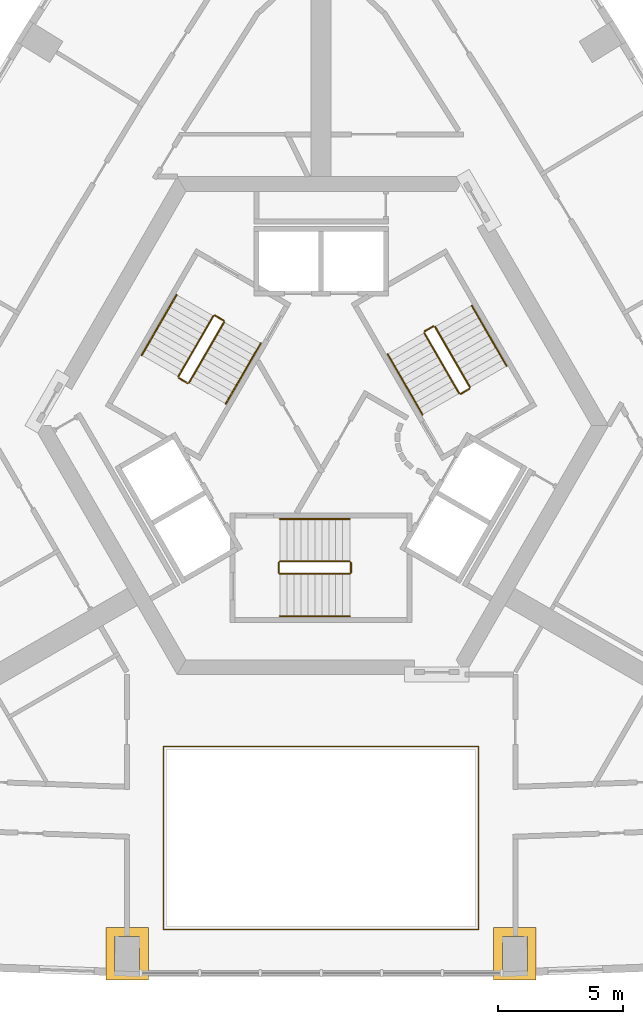
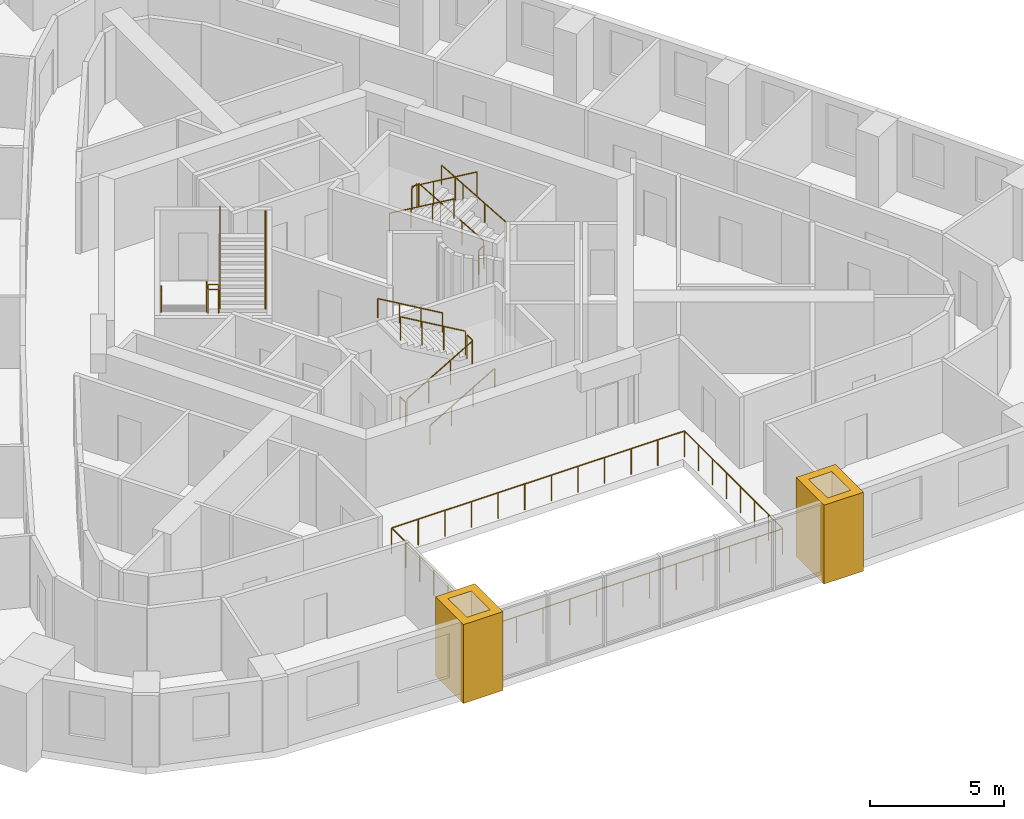
# One storey, part 10 of 10: 19 railings, 2 coverings.
"""IFC4 building model written with IfcOpenShell, lengths in metres."""

from ifc_helpers import new_model, si_unit, direction, frame, origin, origin_2d, place, context, subcontext, project, spatial, polyline, circle, outline, extrude, material, type_object, element, save


model = new_model("IFC4")

# Units and contexts
model_context = context("Model", 3, precision=1e-05, world=origin(), true_north=direction((0.0, 1.0)))
body_context = subcontext(model_context, "Body", "Model", "MODEL_VIEW")
ifc_project = project(units=[si_unit("LENGTHUNIT", "METRE"), si_unit("AREAUNIT", "SQUARE_METRE"), si_unit("VOLUMEUNIT", "CUBIC_METRE"), si_unit("PLANEANGLEUNIT", "RADIAN"), si_unit("MASSUNIT", "GRAM", prefix="KILO")], contexts=[model_context])

# Site, building, storey
site_placement = place(None, origin())
site = spatial("IfcSite", under=ifc_project, at=site_placement, CompositionType="ELEMENT")
building_placement = place(site_placement, origin())
building = spatial("IfcBuilding", under=site, at=building_placement, Name="Entoto Arch Interchange Tower", CompositionType="ELEMENT")
storey_placement = place(building_placement, frame((0.0, 0.0, 245.0)))
storey = spatial("IfcBuildingStorey", under=building, at=storey_placement, Name="L55", CompositionType="ELEMENT", Elevation=245.0)

# Railing
ifc_material_1 = material(Name="Stainless steel 1.4301", Category="steel")
railing_type_1 = type_object("IfcRailingType", Name="ATRIUM GUARD 1200 STEEL AND GLASS", PredefinedType="GUARDRAIL", material=ifc_material_1)
railing_1_placement = place(storey_placement, frame((6.320068359375, -17.72802734375, 0.0)))
element("IfcRailing", 1, at=railing_1_placement, inside=storey, type_object=railing_type_1, Name="Atrium guard L55", PredefinedType="GUARDRAIL", context=body_context, shape_type="SweptSolid", body=[
    extrude(circle(Radius=0.02392578125, at=origin_2d()), frame((0.0, 0.0, 1.17578125), z_axis=(-1.0, 0.0, 0.0), x_axis=(0.0, -1.0, 0.0)), (0.0, 0.0, 1.0), 12.64013671875),
    extrude(circle(Radius=0.02392578125, at=origin_2d()), frame((-12.64013671875, 0.0, 1.17578125), z_axis=(0.0, 1.0, 0.0), x_axis=(-1.0, 0.0, 0.0)), (0.0, 0.0, 1.0), 7.34814453125),
    extrude(circle(Radius=0.02392578125, at=origin_2d()), frame((-12.64013671875, 7.34814453125, 1.17578125), z_axis=(1.0, 0.0, 0.0), x_axis=(0.0, 1.0, 0.0)), (0.0, 0.0, 1.0), 12.64013671875),
    extrude(circle(Radius=0.02392578125, at=origin_2d()), frame((0.0, 7.34814453125, 1.17578125), z_axis=(0.0, -1.0, 0.0), x_axis=(1.0, 0.0, 0.0)), (0.0, 0.0, 1.0), 7.34814453125),
    extrude(circle(Radius=0.02099609375, at=origin_2d()), origin(), (0.0, 0.0, 1.0), 1.15185546875),
    extrude(circle(Radius=0.02099609375, at=origin_2d()), frame((-1.149169921875, 0.0, 0.0)), (0.0, 0.0, 1.0), 1.15185546875),
    extrude(circle(Radius=0.02099609375, at=origin_2d()), frame((-2.298095703125, 0.0, 0.0)), (0.0, 0.0, 1.0), 1.15185546875),
    extrude(circle(Radius=0.02099609375, at=origin_2d()), frame((-3.447265625, 0.0, 0.0)), (0.0, 0.0, 1.0), 1.15185546875),
    extrude(circle(Radius=0.02099609375, at=origin_2d()), frame((-4.596435546875, 0.0, 0.0)), (0.0, 0.0, 1.0), 1.15185546875),
    extrude(circle(Radius=0.02099609375, at=origin_2d()), frame((-5.74560546875, 0.0, 0.0)), (0.0, 0.0, 1.0), 1.15185546875),
    extrude(circle(Radius=0.02099609375, at=origin_2d()), frame((-6.89453125, 0.0, 0.0)), (0.0, 0.0, 1.0), 1.15185546875),
    extrude(circle(Radius=0.02099609375, at=origin_2d()), frame((-8.043701171875, 0.0, 0.0)), (0.0, 0.0, 1.0), 1.15185546875),
    extrude(circle(Radius=0.02099609375, at=origin_2d()), frame((-9.19287109375, 0.0, 0.0)), (0.0, 0.0, 1.0), 1.15185546875),
    extrude(circle(Radius=0.02099609375, at=origin_2d()), frame((-10.342041015625, 0.0, 0.0)), (0.0, 0.0, 1.0), 1.15185546875),
    extrude(circle(Radius=0.02099609375, at=origin_2d()), frame((-11.490966796875, 0.0, 0.0)), (0.0, 0.0, 1.0), 1.15185546875),
    extrude(circle(Radius=0.02099609375, at=origin_2d()), frame((-12.64013671875, 0.0, 0.0)), (0.0, 0.0, 1.0), 1.15185546875),
    extrude(circle(Radius=0.02099609375, at=origin_2d()), frame((-12.64013671875, 1.0498046875, 0.0)), (0.0, 0.0, 1.0), 1.15185546875),
    extrude(circle(Radius=0.02099609375, at=origin_2d()), frame((-12.64013671875, 2.099365234375, 0.0)), (0.0, 0.0, 1.0), 1.15185546875),
    extrude(circle(Radius=0.02099609375, at=origin_2d()), frame((-12.64013671875, 3.149169921875, 0.0)), (0.0, 0.0, 1.0), 1.15185546875),
    extrude(circle(Radius=0.02099609375, at=origin_2d()), frame((-12.64013671875, 4.198974609375, 0.0)), (0.0, 0.0, 1.0), 1.15185546875),
    extrude(circle(Radius=0.02099609375, at=origin_2d()), frame((-12.64013671875, 5.248779296875, 0.0)), (0.0, 0.0, 1.0), 1.15185546875),
    extrude(circle(Radius=0.02099609375, at=origin_2d()), frame((-12.64013671875, 6.29833984375, 0.0)), (0.0, 0.0, 1.0), 1.15185546875),
    extrude(circle(Radius=0.02099609375, at=origin_2d()), frame((-12.64013671875, 7.34814453125, 0.0)), (0.0, 0.0, 1.0), 1.15185546875),
    extrude(circle(Radius=0.02099609375, at=origin_2d()), frame((-11.490966796875, 7.34814453125, 0.0)), (0.0, 0.0, 1.0), 1.15185546875),
    extrude(circle(Radius=0.02099609375, at=origin_2d()), frame((-10.342041015625, 7.34814453125, 0.0)), (0.0, 0.0, 1.0), 1.15185546875),
    extrude(circle(Radius=0.02099609375, at=origin_2d()), frame((-9.19287109375, 7.34814453125, 0.0)), (0.0, 0.0, 1.0), 1.15185546875),
    extrude(circle(Radius=0.02099609375, at=origin_2d()), frame((-8.043701171875, 7.34814453125, 0.0)), (0.0, 0.0, 1.0), 1.15185546875),
    extrude(circle(Radius=0.02099609375, at=origin_2d()), frame((-6.89453125, 7.34814453125, 0.0)), (0.0, 0.0, 1.0), 1.15185546875),
    extrude(circle(Radius=0.02099609375, at=origin_2d()), frame((-5.74560546875, 7.34814453125, 0.0)), (0.0, 0.0, 1.0), 1.15185546875),
    extrude(circle(Radius=0.02099609375, at=origin_2d()), frame((-4.596435546875, 7.34814453125, 0.0)), (0.0, 0.0, 1.0), 1.15185546875),
    extrude(circle(Radius=0.02099609375, at=origin_2d()), frame((-3.447265625, 7.34814453125, 0.0)), (0.0, 0.0, 1.0), 1.15185546875),
    extrude(circle(Radius=0.02099609375, at=origin_2d()), frame((-2.298095703125, 7.34814453125, 0.0)), (0.0, 0.0, 1.0), 1.15185546875),
    extrude(circle(Radius=0.02099609375, at=origin_2d()), frame((-1.149169921875, 7.34814453125, 0.0)), (0.0, 0.0, 1.0), 1.15185546875),
    extrude(circle(Radius=0.02099609375, at=origin_2d()), frame((0.0, 7.34814453125, 0.0)), (0.0, 0.0, 1.0), 1.15185546875),
    extrude(circle(Radius=0.02099609375, at=origin_2d()), frame((0.0, 6.29833984375, 0.0)), (0.0, 0.0, 1.0), 1.15185546875),
    extrude(circle(Radius=0.02099609375, at=origin_2d()), frame((0.0, 5.248779296875, 0.0)), (0.0, 0.0, 1.0), 1.15185546875),
    extrude(circle(Radius=0.02099609375, at=origin_2d()), frame((0.0, 4.198974609375, 0.0)), (0.0, 0.0, 1.0), 1.15185546875),
    extrude(circle(Radius=0.02099609375, at=origin_2d()), frame((0.0, 3.149169921875, 0.0)), (0.0, 0.0, 1.0), 1.15185546875),
    extrude(circle(Radius=0.02099609375, at=origin_2d()), frame((0.0, 2.099365234375, 0.0)), (0.0, 0.0, 1.0), 1.15185546875),
    extrude(circle(Radius=0.02099609375, at=origin_2d()), frame((0.0, 1.0498046875, 0.0)), (0.0, 0.0, 1.0), 1.15185546875),
])

# Coverings
ifc_material_2 = material(Name="Board-marked precast concrete C50/60", Category="concrete")
covering_type = type_object("IfcCoveringType", Name="PRECAST FRAME COURSE", PredefinedType="CLADDING", material=ifc_material_2)
covering_1_placement = place(storey_placement, frame((0.0, 0.0, -0.340087890625)))
element("IfcCovering", 2, at=covering_1_placement, inside=storey, type_object=covering_type, Name="Gate pier L55", PredefinedType="CLADDING", context=body_context, shape_type="SweptSolid", body=[
    extrude(outline(polyline([(-8.634033203125, -17.657958984375), (-6.93408203125, -17.657958984375), (-6.93408203125, -19.758056640625), (-8.634033203125, -19.758056640625), (-8.634033203125, -17.657958984375)]), holes=[polyline([(-8.283935546875, -18.008056640625), (-8.283935546875, -19.407958984375), (-7.283935546875, -19.407958984375), (-7.283935546875, -18.008056640625), (-8.283935546875, -18.008056640625)])]), origin(), (0.0, 0.0, 1.0), 3.60009765625),
])
covering_2_placement = place(storey_placement, frame((0.0, 0.0, -0.340087890625)))
element("IfcCovering", 3, at=covering_2_placement, inside=storey, type_object=covering_type, Name="Gate pier L55", PredefinedType="CLADDING", context=body_context, shape_type="SweptSolid", body=[
    extrude(outline(polyline([(6.93408203125, -17.657958984375), (8.634033203125, -17.657958984375), (8.634033203125, -19.758056640625), (6.93408203125, -19.758056640625), (6.93408203125, -17.657958984375)]), holes=[polyline([(7.283935546875, -18.008056640625), (7.283935546875, -19.407958984375), (8.283935546875, -19.407958984375), (8.283935546875, -18.008056640625), (7.283935546875, -18.008056640625)])]), origin(), (0.0, 0.0, 1.0), 3.60009765625),
])

# Railings
railing_type_2 = type_object("IfcRailingType", Name="STAIR GUARD 1100 STEEL", PredefinedType="GUARDRAIL", material=ifc_material_1)
railing_2_placement = place(storey_placement, frame((-1.64990234375, -3.449951171875, 0.16357421875)))
element("IfcRailing", 4, at=railing_2_placement, inside=storey, type_object=railing_type_2, Name="L55 ST-S stair guard 1", PredefinedType="GUARDRAIL", context=body_context, shape_type="SweptSolid", body=[
    extrude(circle(Radius=0.02392578125, at=origin_2d()), frame((0.0, 0.0, 1.076171875), z_axis=(0.863341702679, 0.0, 0.504619762213), x_axis=(0.0, 1.0, 0.0)), (0.0, 0.0, 1.0), 3.242919921875),
    extrude(circle(Radius=0.02099609375, at=origin_2d()), origin(), (0.0, 0.0, 1.0), 1.052001953125),
    extrude(circle(Radius=0.02099609375, at=origin_2d()), frame((0.933349609375, 0.0, 0.54541015625)), (0.0, 0.0, 1.0), 1.052001953125),
    extrude(circle(Radius=0.02099609375, at=origin_2d()), frame((1.866455078125, 0.0, 1.091064453125)), (0.0, 0.0, 1.0), 1.052001953125),
    extrude(circle(Radius=0.02099609375, at=origin_2d()), frame((2.7998046875, 0.0, 1.636474609375)), (0.0, 0.0, 1.0), 1.052001953125),
])
railing_3_placement = place(storey_placement, frame((1.199951171875, -3.39990234375, 1.800048828125)))
element("IfcRailing", 5, at=railing_3_placement, inside=storey, type_object=railing_type_2, Name="L55 ST-S stair guard 2", PredefinedType="GUARDRAIL", context=body_context, shape_type="SweptSolid", body=[
    extrude(circle(Radius=0.02392578125, at=origin_2d()), frame((0.0, 0.0, 1.076171875), z_axis=(0.0, 1.0, 0.0), x_axis=(-1.0, 0.0, 0.0)), (0.0, 0.0, 1.0), 0.39990234375),
    extrude(circle(Radius=0.02099609375, at=origin_2d()), origin(), (0.0, 0.0, 1.0), 1.052001953125),
    extrude(circle(Radius=0.02099609375, at=origin_2d()), frame((0.0, 0.39990234375, 0.0)), (0.0, 0.0, 1.0), 1.052001953125),
])
railing_4_placement = place(storey_placement, frame((1.14990234375, -2.949951171875, 1.963623046875)))
element("IfcRailing", 6, at=railing_4_placement, inside=storey, type_object=railing_type_2, Name="L55 ST-S stair guard 3", PredefinedType="GUARDRAIL", context=body_context, shape_type="SweptSolid", body=[
    extrude(circle(Radius=0.02392578125, at=origin_2d()), frame((0.0, 0.0, 1.076171875), z_axis=(-0.863341702679, 0.0, 0.504619762213), x_axis=(0.0, -1.0, 0.0)), (0.0, 0.0, 1.0), 3.242919921875),
    extrude(circle(Radius=0.02099609375, at=origin_2d()), origin(), (0.0, 0.0, 1.0), 1.052001953125),
    extrude(circle(Radius=0.02099609375, at=origin_2d()), frame((-0.933349609375, 0.0, 0.54541015625)), (0.0, 0.0, 1.0), 1.052001953125),
    extrude(circle(Radius=0.02099609375, at=origin_2d()), frame((-1.866455078125, 0.0, 1.091064453125)), (0.0, 0.0, 1.0), 1.052001953125),
    extrude(circle(Radius=0.02099609375, at=origin_2d()), frame((-2.7998046875, 0.0, 1.636474609375)), (0.0, 0.0, 1.0), 1.052001953125),
])
railing_5_placement = place(storey_placement, frame((-1.699951171875, -3.39990234375, 0.0)))
element("IfcRailing", 7, at=railing_5_placement, inside=storey, type_object=railing_type_2, Name="L55 ST-S stair guard 4", PredefinedType="GUARDRAIL", context=body_context, shape_type="SweptSolid", body=[
    extrude(circle(Radius=0.02392578125, at=origin_2d()), frame((0.0, 0.0, 1.076171875), z_axis=(0.0, 1.0, 0.0), x_axis=(-1.0, 0.0, 0.0)), (0.0, 0.0, 1.0), 0.39990234375),
    extrude(circle(Radius=0.02099609375, at=origin_2d()), origin(), (0.0, 0.0, 1.0), 1.052001953125),
    extrude(circle(Radius=0.02099609375, at=origin_2d()), frame((0.0, 0.39990234375, 0.0)), (0.0, 0.0, 1.0), 1.052001953125),
])
railing_6_placement = place(storey_placement, frame((5.977783203125, 4.046142578125, 0.16357421875)))
element("IfcRailing", 8, at=railing_6_placement, inside=storey, type_object=railing_type_2, Name="L55 ST-NE stair guard 1", PredefinedType="GUARDRAIL", context=body_context, shape_type="SweptSolid", body=[
    extrude(circle(Radius=0.02392578125, at=origin_2d()), frame((0.0, 0.0, 1.076171875), z_axis=(-0.431660630283, 0.747689811644, 0.504607813879), x_axis=(-0.866034573852, -0.49998411664, 0.0)), (0.0, 0.0, 1.0), 3.2431640625),
    extrude(circle(Radius=0.02099609375, at=origin_2d()), origin(), (0.0, 0.0, 1.0), 1.052001953125),
    extrude(circle(Radius=0.02099609375, at=origin_2d()), frame((-0.466552734375, 0.808349609375, 0.54541015625)), (0.0, 0.0, 1.0), 1.052001953125),
    extrude(circle(Radius=0.02099609375, at=origin_2d()), frame((-0.933349609375, 1.616455078125, 1.091064453125)), (0.0, 0.0, 1.0), 1.052001953125),
    extrude(circle(Radius=0.02099609375, at=origin_2d()), frame((-1.39990234375, 2.4248046875, 1.636474609375)), (0.0, 0.0, 1.0), 1.052001953125),
])
railing_7_placement = place(storey_placement, frame((4.509521484375, 6.4892578125, 1.800048828125)))
element("IfcRailing", 9, at=railing_7_placement, inside=storey, type_object=railing_type_2, Name="L55 ST-NE stair guard 2", PredefinedType="GUARDRAIL", context=body_context, shape_type="SweptSolid", body=[
    extrude(circle(Radius=0.02392578125, at=origin_2d()), frame((0.0, 0.0, 1.076171875), z_axis=(-0.866094119867, -0.499880961361, 0.0), x_axis=(0.499880961361, -0.866094119867, 0.0)), (0.0, 0.0, 1.0), 0.39990234375),
    extrude(circle(Radius=0.02099609375, at=origin_2d()), origin(), (0.0, 0.0, 1.0), 1.052001953125),
    extrude(circle(Radius=0.02099609375, at=origin_2d()), frame((-0.346435546875, -0.199951171875, 0.0)), (0.0, 0.0, 1.0), 1.052001953125),
])
railing_8_placement = place(storey_placement, frame((4.144775390625, 6.220947265625, 1.963623046875)))
element("IfcRailing", 10, at=railing_8_placement, inside=storey, type_object=railing_type_2, Name="L55 ST-NE stair guard 3", PredefinedType="GUARDRAIL", context=body_context, shape_type="SweptSolid", body=[
    extrude(circle(Radius=0.02392578125, at=origin_2d()), frame((0.0, 0.0, 1.076171875), z_axis=(0.431721881032, -0.747665513933, 0.504591415616), x_axis=(0.865996816683, 0.500049511043, 0.0)), (0.0, 0.0, 1.0), 3.2431640625),
    extrude(circle(Radius=0.02099609375, at=origin_2d()), origin(), (0.0, 0.0, 1.0), 1.052001953125),
    extrude(circle(Radius=0.02099609375, at=origin_2d()), frame((0.466796875, -0.808349609375, 0.54541015625)), (0.0, 0.0, 1.0), 1.052001953125),
    extrude(circle(Radius=0.02099609375, at=origin_2d()), frame((0.933349609375, -1.616455078125, 1.091064453125)), (0.0, 0.0, 1.0), 1.052001953125),
    extrude(circle(Radius=0.02099609375, at=origin_2d()), frame((1.400146484375, -2.4248046875, 1.636474609375)), (0.0, 0.0, 1.0), 1.052001953125),
])
railing_9_placement = place(storey_placement, frame((5.95947265625, 3.977783203125, 0.0)))
element("IfcRailing", 11, at=railing_9_placement, inside=storey, type_object=railing_type_2, Name="L55 ST-NE stair guard 4", PredefinedType="GUARDRAIL", context=body_context, shape_type="SweptSolid", body=[
    extrude(circle(Radius=0.02392578125, at=origin_2d()), frame((0.0, 0.0, 1.076171875), z_axis=(-0.866094119867, -0.499880961361, 0.0), x_axis=(0.499880961361, -0.866094119867, 0.0)), (0.0, 0.0, 1.0), 0.39990234375),
    extrude(circle(Radius=0.02099609375, at=origin_2d()), origin(), (0.0, 0.0, 1.0), 1.052001953125),
    extrude(circle(Radius=0.02099609375, at=origin_2d()), frame((-0.346435546875, -0.199951171875, 0.0)), (0.0, 0.0, 1.0), 1.052001953125),
])
railing_10_placement = place(storey_placement, frame((-4.327880859375, 6.904052734375, 0.16357421875)))
element("IfcRailing", 12, at=railing_10_placement, inside=storey, type_object=railing_type_2, Name="L55 ST-NW stair guard 1", PredefinedType="GUARDRAIL", context=body_context, shape_type="SweptSolid", body=[
    extrude(circle(Radius=0.02392578125, at=origin_2d()), frame((0.0, 0.0, 1.076171875), z_axis=(-0.431636334334, -0.747723004699, 0.504579412111), x_axis=(0.866056369097, -0.49994636267, 0.0)), (0.0, 0.0, 1.0), 3.2431640625),
    extrude(circle(Radius=0.02099609375, at=origin_2d()), origin(), (0.0, 0.0, 1.0), 1.052001953125),
    extrude(circle(Radius=0.02099609375, at=origin_2d()), frame((-0.466552734375, -0.808349609375, 0.54541015625)), (0.0, 0.0, 1.0), 1.052001953125),
    extrude(circle(Radius=0.02099609375, at=origin_2d()), frame((-0.933349609375, -1.61669921875, 1.091064453125)), (0.0, 0.0, 1.0), 1.052001953125),
    extrude(circle(Radius=0.02099609375, at=origin_2d()), frame((-1.39990234375, -2.425048828125, 1.636474609375)), (0.0, 0.0, 1.0), 1.052001953125),
])
railing_11_placement = place(storey_placement, frame((-5.70947265625, 4.410888671875, 1.800048828125)))
element("IfcRailing", 13, at=railing_11_placement, inside=storey, type_object=railing_type_2, Name="L55 ST-NW stair guard 2", PredefinedType="GUARDRAIL", context=body_context, shape_type="SweptSolid", body=[
    extrude(circle(Radius=0.02392578125, at=origin_2d()), frame((0.0, 0.0, 1.076171875), z_axis=(0.865829829939, -0.500338590944, 0.0), x_axis=(0.500338590944, 0.865829829939, 0.0)), (0.0, 0.0, 1.0), 0.400146484375),
    extrude(circle(Radius=0.02099609375, at=origin_2d()), origin(), (0.0, 0.0, 1.0), 1.052001953125),
    extrude(circle(Radius=0.02099609375, at=origin_2d()), frame((0.346435546875, -0.2001953125, 0.0)), (0.0, 0.0, 1.0), 1.052001953125),
])
railing_12_placement = place(storey_placement, frame((-5.294921875, 4.22900390625, 1.963623046875)))
element("IfcRailing", 14, at=railing_12_placement, inside=storey, type_object=railing_type_2, Name="L55 ST-NW stair guard 3", PredefinedType="GUARDRAIL", context=body_context, shape_type="SweptSolid", body=[
    extrude(circle(Radius=0.02392578125, at=origin_2d()), frame((0.0, 0.0, 1.076171875), z_axis=(0.431697583215, 0.747698708645, 0.504563016616), x_axis=(-0.866018616679, 0.500011755427, 0.0)), (0.0, 0.0, 1.0), 3.243408203125),
    extrude(circle(Radius=0.02099609375, at=origin_2d()), origin(), (0.0, 0.0, 1.0), 1.052001953125),
    extrude(circle(Radius=0.02099609375, at=origin_2d()), frame((0.466796875, 0.808349609375, 0.54541015625)), (0.0, 0.0, 1.0), 1.052001953125),
    extrude(circle(Radius=0.02099609375, at=origin_2d()), frame((0.933349609375, 1.61669921875, 1.091064453125)), (0.0, 0.0, 1.0), 1.052001953125),
    extrude(circle(Radius=0.02099609375, at=origin_2d()), frame((1.400146484375, 2.425048828125, 1.636474609375)), (0.0, 0.0, 1.0), 1.052001953125),
])
railing_13_placement = place(storey_placement, frame((-4.259521484375, 6.92236328125, 0.0)))
element("IfcRailing", 15, at=railing_13_placement, inside=storey, type_object=railing_type_2, Name="L55 ST-NW stair guard 4", PredefinedType="GUARDRAIL", context=body_context, shape_type="SweptSolid", body=[
    extrude(circle(Radius=0.02392578125, at=origin_2d()), frame((0.0, 0.0, 1.076171875), z_axis=(0.865829829939, -0.500338590944, 0.0), x_axis=(0.500338590944, 0.865829829939, 0.0)), (0.0, 0.0, 1.0), 0.400146484375),
    extrude(circle(Radius=0.02099609375, at=origin_2d()), origin(), (0.0, 0.0, 1.0), 1.052001953125),
    extrude(circle(Radius=0.02099609375, at=origin_2d()), frame((0.346435546875, -0.2001953125, 0.0)), (0.0, 0.0, 1.0), 1.052001953125),
])
railing_type_3 = type_object("IfcRailingType", Name="STAIR HANDRAIL 900 STEEL", PredefinedType="HANDRAIL", material=ifc_material_1)
railing_14_placement = place(storey_placement, frame((-1.64990234375, -5.14990234375, 0.16357421875)))
element("IfcRailing", 16, at=railing_14_placement, inside=storey, type_object=railing_type_3, Name="L55 ST-S stair handrail 1", PredefinedType="HANDRAIL", context=body_context, shape_type="SweptSolid", body=[
    extrude(circle(Radius=0.02392578125, at=origin_2d()), frame((0.0, 0.0, 0.8759765625), z_axis=(0.863341702679, 0.0, 0.504619762213), x_axis=(0.0, 1.0, 0.0)), (0.0, 0.0, 1.0), 3.242919921875),
    extrude(circle(Radius=0.02099609375, at=origin_2d()), origin(), (0.0, 0.0, 1.0), 0.851806640625),
    extrude(circle(Radius=0.02099609375, at=origin_2d()), frame((0.933349609375, 0.0, 0.54541015625)), (0.0, 0.0, 1.0), 0.851806640625),
    extrude(circle(Radius=0.02099609375, at=origin_2d()), frame((1.866455078125, 0.0, 1.091064453125)), (0.0, 0.0, 1.0), 0.851806640625),
    extrude(circle(Radius=0.02099609375, at=origin_2d()), frame((2.7998046875, 0.0, 1.636474609375)), (0.0, 0.0, 1.0), 0.851806640625),
])
railing_15_placement = place(storey_placement, frame((1.14990234375, -1.25, 1.963623046875)))
element("IfcRailing", 17, at=railing_15_placement, inside=storey, type_object=railing_type_3, Name="L55 ST-S stair handrail 2", PredefinedType="HANDRAIL", context=body_context, shape_type="SweptSolid", body=[
    extrude(circle(Radius=0.02392578125, at=origin_2d()), frame((0.0, 0.0, 0.8759765625), z_axis=(-0.863341702679, 0.0, 0.504619762213), x_axis=(0.0, -1.0, 0.0)), (0.0, 0.0, 1.0), 3.242919921875),
    extrude(circle(Radius=0.02099609375, at=origin_2d()), origin(), (0.0, 0.0, 1.0), 0.851806640625),
    extrude(circle(Radius=0.02099609375, at=origin_2d()), frame((-0.933349609375, 0.0, 0.54541015625)), (0.0, 0.0, 1.0), 0.851806640625),
    extrude(circle(Radius=0.02099609375, at=origin_2d()), frame((-1.866455078125, 0.0, 1.091064453125)), (0.0, 0.0, 1.0), 0.851806640625),
    extrude(circle(Radius=0.02099609375, at=origin_2d()), frame((-2.7998046875, 0.0, 1.636474609375)), (0.0, 0.0, 1.0), 0.851806640625),
])
railing_16_placement = place(storey_placement, frame((7.4501953125, 4.89599609375, 0.16357421875)))
element("IfcRailing", 18, at=railing_16_placement, inside=storey, type_object=railing_type_3, Name="L55 ST-NE stair handrail 1", PredefinedType="HANDRAIL", context=body_context, shape_type="SweptSolid", body=[
    extrude(circle(Radius=0.02392578125, at=origin_2d()), frame((0.0, 0.0, 0.8759765625), z_axis=(-0.431697583215, 0.747698708645, 0.504563016616), x_axis=(-0.866018616679, -0.500011755427, 0.0)), (0.0, 0.0, 1.0), 3.243408203125),
    extrude(circle(Radius=0.02099609375, at=origin_2d()), origin(), (0.0, 0.0, 1.0), 0.851806640625),
    extrude(circle(Radius=0.02099609375, at=origin_2d()), frame((-0.466796875, 0.808349609375, 0.54541015625)), (0.0, 0.0, 1.0), 0.851806640625),
    extrude(circle(Radius=0.02099609375, at=origin_2d()), frame((-0.933349609375, 1.61669921875, 1.091064453125)), (0.0, 0.0, 1.0), 0.851806640625),
    extrude(circle(Radius=0.02099609375, at=origin_2d()), frame((-1.400146484375, 2.425048828125, 1.636474609375)), (0.0, 0.0, 1.0), 0.851806640625),
])
railing_17_placement = place(storey_placement, frame((2.672607421875, 5.370849609375, 1.963623046875)))
element("IfcRailing", 19, at=railing_17_placement, inside=storey, type_object=railing_type_3, Name="L55 ST-NE stair handrail 2", PredefinedType="HANDRAIL", context=body_context, shape_type="SweptSolid", body=[
    extrude(circle(Radius=0.02392578125, at=origin_2d()), frame((0.0, 0.0, 0.8759765625), z_axis=(0.431660630283, -0.747689811644, 0.504607813879), x_axis=(0.866034573852, 0.49998411664, 0.0)), (0.0, 0.0, 1.0), 3.2431640625),
    extrude(circle(Radius=0.02099609375, at=origin_2d()), origin(), (0.0, 0.0, 1.0), 0.851806640625),
    extrude(circle(Radius=0.02099609375, at=origin_2d()), frame((0.466552734375, -0.808349609375, 0.54541015625)), (0.0, 0.0, 1.0), 0.851806640625),
    extrude(circle(Radius=0.02099609375, at=origin_2d()), frame((0.933349609375, -1.616455078125, 1.091064453125)), (0.0, 0.0, 1.0), 0.851806640625),
    extrude(circle(Radius=0.02099609375, at=origin_2d()), frame((1.39990234375, -2.4248046875, 1.636474609375)), (0.0, 0.0, 1.0), 0.851806640625),
])
railing_18_placement = place(storey_placement, frame((-5.800048828125, 7.75390625, 0.16357421875)))
element("IfcRailing", 20, at=railing_18_placement, inside=storey, type_object=railing_type_3, Name="L55 ST-NW stair handrail 1", PredefinedType="HANDRAIL", context=body_context, shape_type="SweptSolid", body=[
    extrude(circle(Radius=0.02392578125, at=origin_2d()), frame((0.0, 0.0, 0.8759765625), z_axis=(-0.431721881032, -0.747665513933, 0.504591415616), x_axis=(0.865996816683, -0.500049511043, 0.0)), (0.0, 0.0, 1.0), 3.2431640625),
    extrude(circle(Radius=0.02099609375, at=origin_2d()), origin(), (0.0, 0.0, 1.0), 0.851806640625),
    extrude(circle(Radius=0.02099609375, at=origin_2d()), frame((-0.466796875, -0.808349609375, 0.54541015625)), (0.0, 0.0, 1.0), 0.851806640625),
    extrude(circle(Radius=0.02099609375, at=origin_2d()), frame((-0.933349609375, -1.616455078125, 1.091064453125)), (0.0, 0.0, 1.0), 0.851806640625),
    extrude(circle(Radius=0.02099609375, at=origin_2d()), frame((-1.400146484375, -2.4248046875, 1.636474609375)), (0.0, 0.0, 1.0), 0.851806640625),
])
railing_19_placement = place(storey_placement, frame((-3.822509765625, 3.379150390625, 1.963623046875)))
element("IfcRailing", 21, at=railing_19_placement, inside=storey, type_object=railing_type_3, Name="L55 ST-NW stair handrail 2", PredefinedType="HANDRAIL", context=body_context, shape_type="SweptSolid", body=[
    extrude(circle(Radius=0.02392578125, at=origin_2d()), frame((0.0, 0.0, 0.8759765625), z_axis=(0.431660630283, 0.747689811644, 0.504607813879), x_axis=(-0.866034573852, 0.49998411664, 0.0)), (0.0, 0.0, 1.0), 3.2431640625),
    extrude(circle(Radius=0.02099609375, at=origin_2d()), origin(), (0.0, 0.0, 1.0), 0.851806640625),
    extrude(circle(Radius=0.02099609375, at=origin_2d()), frame((0.466552734375, 0.808349609375, 0.54541015625)), (0.0, 0.0, 1.0), 0.851806640625),
    extrude(circle(Radius=0.02099609375, at=origin_2d()), frame((0.933349609375, 1.616455078125, 1.091064453125)), (0.0, 0.0, 1.0), 0.851806640625),
    extrude(circle(Radius=0.02099609375, at=origin_2d()), frame((1.39990234375, 2.4248046875, 1.636474609375)), (0.0, 0.0, 1.0), 0.851806640625),
])

save(model, "model.ifc")
